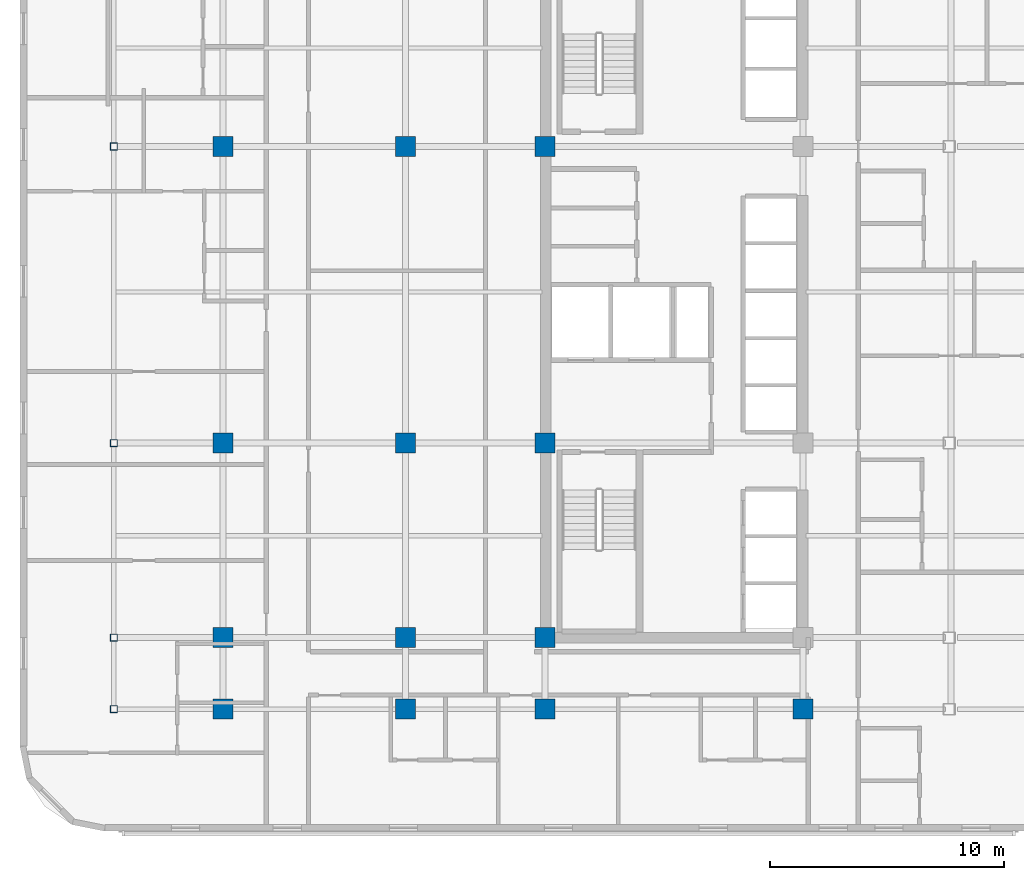
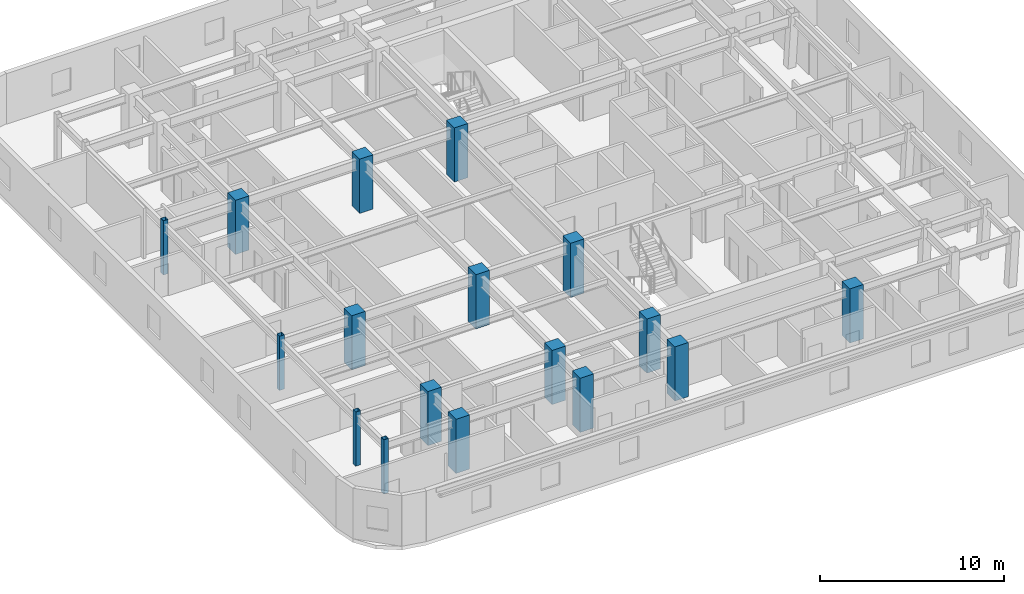
# One storey, part 1 of 14: 17 columns.
"""IFC4 building model written with IfcOpenShell, lengths in metres."""

from ifc_helpers import new_model, si_unit, direction, frame, origin, origin_2d, place, context, subcontext, project, spatial, rectangle, hollow_rectangle, extrude, material, material_profile, profile_set, type_object, element, save


model = new_model("IFC4")

# Units and contexts
model_context = context("Model", 3, precision=1e-05, world=origin(), true_north=direction((0.0, 1.0)))
body_context = subcontext(model_context, "Body", "Model", "MODEL_VIEW")
ifc_project = project(units=[si_unit("LENGTHUNIT", "METRE"), si_unit("AREAUNIT", "SQUARE_METRE"), si_unit("VOLUMEUNIT", "CUBIC_METRE"), si_unit("PLANEANGLEUNIT", "RADIAN"), si_unit("MASSUNIT", "GRAM", prefix="KILO")], contexts=[model_context])

# Site, building, storey
site_placement = place(None, origin())
site = spatial("IfcSite", under=ifc_project, at=site_placement, CompositionType="ELEMENT")
building_placement = place(site_placement, origin())
building = spatial("IfcBuilding", under=site, at=building_placement, Name="Ochreholt Gables", CompositionType="ELEMENT")
storey_placement = place(building_placement, frame((0.0, 0.0, 42.0)))
storey = spatial("IfcBuildingStorey", under=building, at=storey_placement, Name="L10", CompositionType="ELEMENT", Elevation=42.0)

# Columns
ifc_material_1 = material(Name="Steel CSA G40.21 350W", Category="steel")
ifc_material_profile_1 = material_profile(ifc_material_1, hollow_rectangle(XDim=0.304931640625, YDim=0.304931640625, WallThickness=0.0126953125, at=origin_2d()), Name="HSS305X305X13")
ifc_profile_set_1 = profile_set([ifc_material_profile_1], Name="Steel CSA G40.21 350W")
column_type_1 = type_object("IfcColumnType", Name="COL-HSS305-EXT", PredefinedType="COLUMN", material=ifc_profile_set_1)
for number, where, z_axis, x_axis, name in (
    (1, (5.800048828125, 6.199951171875, 0.0), (0.0, 0.0, 1.0), (1.0, 0.0, 0.0), "L10 Column WTY1"),
    (2, (5.800048828125, 9.25, 0.0), (0.0, 0.0, 1.0), (1.0, 0.0, 0.0), "L10 Column WTY2"),
    (3, (5.800048828125, 17.550048828125, 0.0), (0.0, 0.0, 1.0), (1.0, 0.0, 0.0), "L10 Column WTY3"),
    (4, (5.800048828125, 30.199951171875, 0.0), (0.0, 0.0, 1.0), (1.0, 0.0, 0.0), "L10 Column WTY4"),
):
    element("IfcColumn", number, at=place(storey_placement, frame(where, z_axis=z_axis, x_axis=x_axis)), inside=storey, type_object=column_type_1, Name=name, PredefinedType="COLUMN", context=body_context, shape_type="SweptSolid", body=[
        extrude(hollow_rectangle(XDim=0.304931640625, YDim=0.304931640625, WallThickness=0.0126953125, at=origin_2d()), origin(), (0.0, 0.0, 1.0), 3.60009765625),
    ])
ifc_material_2 = material(Name="Concrete 60 MPa", Category="concrete")
ifc_material_profile_2 = material_profile(ifc_material_2, rectangle(XDim=0.85009765625, YDim=0.85009765625, at=origin_2d()), Name="RC850X850")
ifc_profile_set_2 = profile_set([ifc_material_profile_2], Name="Concrete 60 MPa")
column_type_2 = type_object("IfcColumnType", Name="COL-RC850-EXT", PredefinedType="COLUMN", material=ifc_profile_set_2)
for number, where, z_axis, x_axis, name in (
    (5, (10.449951171875, 6.199951171875, 0.0), (0.0, 0.0, 1.0), (1.0, 0.0, 0.0), "L10 Column W2Y1"),
    (6, (18.25, 6.199951171875, 0.0), (0.0, 0.0, 1.0), (1.0, 0.0, 0.0), "L10 Column W3Y1"),
    (7, (24.199951171875, 6.199951171875, 0.0), (0.0, 0.0, 1.0), (1.0, 0.0, 0.0), "L10 Column C1Y1"),
    (8, (35.199951171875, 6.199951171875, 0.0), (0.0, 0.0, 1.0), (1.0, 0.0, 0.0), "L10 Column C2Y1"),
):
    element("IfcColumn", number, at=place(storey_placement, frame(where, z_axis=z_axis, x_axis=x_axis)), inside=storey, type_object=column_type_2, Name=name, PredefinedType="COLUMN", context=body_context, shape_type="SweptSolid", body=[
        extrude(rectangle(XDim=0.85009765625, YDim=0.85009765625, at=origin_2d()), origin(), (0.0, 0.0, 1.0), 3.60009765625),
    ])
ifc_material_profile_3 = material_profile(ifc_material_2, rectangle(XDim=0.85009765625, YDim=0.85009765625, at=origin_2d()), Name="RC850X850")
ifc_profile_set_3 = profile_set([ifc_material_profile_3], Name="Concrete 60 MPa")
column_type_3 = type_object("IfcColumnType", Name="COL-RC850-INT", PredefinedType="COLUMN", material=ifc_profile_set_3)
for number, where, z_axis, x_axis, name in (
    (9, (10.449951171875, 9.25, 0.0), (0.0, 0.0, 1.0), (1.0, 0.0, 0.0), "L10 Column W2Y2"),
    (10, (10.449951171875, 17.550048828125, 0.0), (0.0, 0.0, 1.0), (1.0, 0.0, 0.0), "L10 Column W2Y3"),
    (11, (10.449951171875, 30.199951171875, 0.0), (0.0, 0.0, 1.0), (1.0, 0.0, 0.0), "L10 Column W2Y4"),
    (12, (18.25, 9.25, 0.0), (0.0, 0.0, 1.0), (1.0, 0.0, 0.0), "L10 Column W3Y2"),
    (13, (18.25, 17.550048828125, 0.0), (0.0, 0.0, 1.0), (1.0, 0.0, 0.0), "L10 Column W3Y3"),
    (14, (18.25, 30.199951171875, 0.0), (0.0, 0.0, 1.0), (1.0, 0.0, 0.0), "L10 Column W3Y4"),
    (15, (24.199951171875, 9.25, 0.0), (0.0, 0.0, 1.0), (1.0, 0.0, 0.0), "L10 Column C1Y2"),
    (16, (24.199951171875, 17.550048828125, 0.0), (0.0, 0.0, 1.0), (1.0, 0.0, 0.0), "L10 Column C1Y3"),
    (17, (24.199951171875, 30.199951171875, 0.0), (0.0, 0.0, 1.0), (1.0, 0.0, 0.0), "L10 Column C1Y4"),
):
    element("IfcColumn", number, at=place(storey_placement, frame(where, z_axis=z_axis, x_axis=x_axis)), inside=storey, type_object=column_type_3, Name=name, PredefinedType="COLUMN", context=body_context, shape_type="SweptSolid", body=[
        extrude(rectangle(XDim=0.85009765625, YDim=0.85009765625, at=origin_2d()), origin(), (0.0, 0.0, 1.0), 3.60009765625),
    ])

save(model, "model.ifc")
